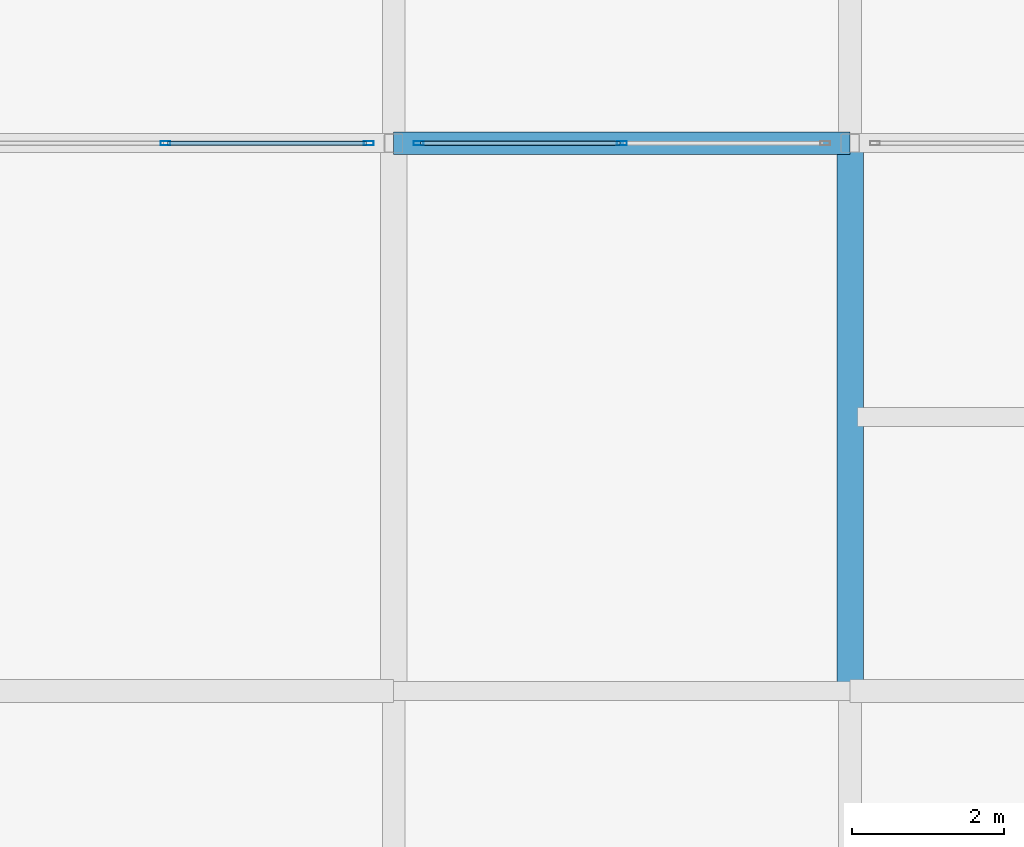
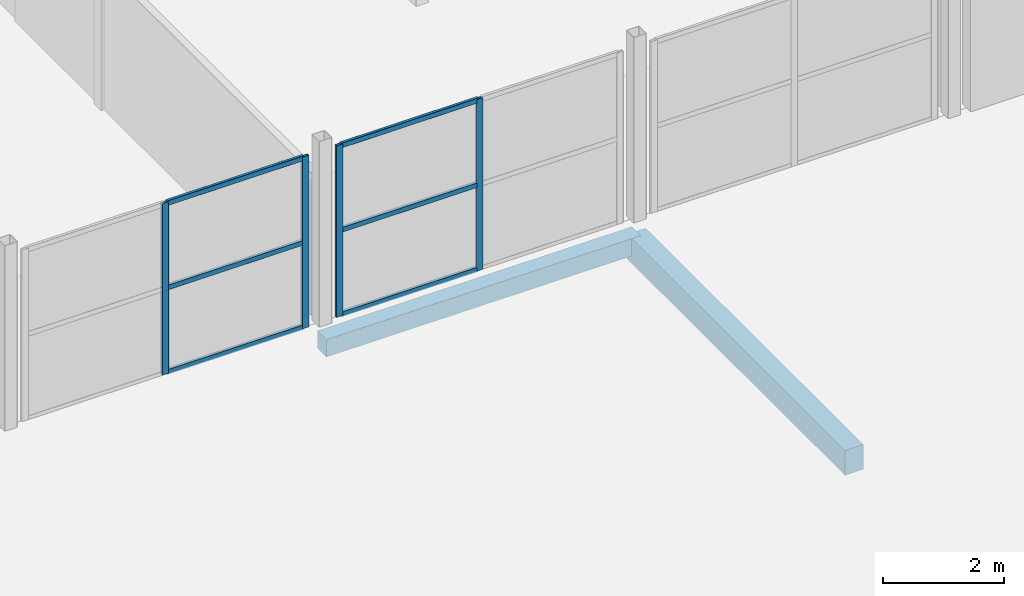
# One storey, part 155 of 239: 10 members, 2 beams, 2 elements without a shape of their own.
"""IFC4 building model written with IfcOpenShell, lengths in metres."""

from ifc_helpers import new_model, si_unit, direction, frame, origin, origin_2d, place, context, subcontext, project, spatial, rectangle, hollow_rectangle, extrude, material, layer, layer_set, material_profile, profile_set, type_object, element, aggregate, save


model = new_model("IFC4")

# Units and contexts
model_context = context("Model", 3, precision=1e-05, world=origin(), true_north=direction((0.0, 1.0)))
body_context = subcontext(model_context, "Body", "Model", "MODEL_VIEW")
ifc_project = project(units=[si_unit("LENGTHUNIT", "METRE"), si_unit("AREAUNIT", "SQUARE_METRE"), si_unit("VOLUMEUNIT", "CUBIC_METRE"), si_unit("PLANEANGLEUNIT", "RADIAN"), si_unit("MASSUNIT", "GRAM", prefix="KILO")], contexts=[model_context])

# Site, building, storey
site_placement = place(None, origin())
site = spatial("IfcSite", under=ifc_project, at=site_placement, CompositionType="ELEMENT")
building_placement = place(site_placement, origin())
building = spatial("IfcBuilding", under=site, at=building_placement, Name="Dunvalen Ferry Terminal", CompositionType="ELEMENT")
storey_placement = place(building_placement, frame((0.0, 0.0, 9.840087890625)))
storey = spatial("IfcBuildingStorey", under=building, at=storey_placement, Name="L02", CompositionType="ELEMENT", Elevation=9.840087890625)

# Curtain wall, members
ifc_material_1 = material(Name="Anodised marine aluminium and solar-control glazing", Category="aluminium")
ifc_layer = layer(ifc_material_1, 0.159912109375, Name="Anodised marine aluminium and solar-control glazing")
ifc_layer_set = layer_set([ifc_layer], Name="Anodised marine aluminium and solar-control glazing")
curtain_wall_type = type_object("IfcCurtainWallType", Name="ENV-CW-SYS-09", PredefinedType="NOTDEFINED", material=ifc_layer_set)
curtain_wall_1_placement = place(storey_placement, origin())
curtain_wall_1 = element("IfcCurtainWall", 1, at=curtain_wall_1_placement, inside=storey, type_object=curtain_wall_type, Name="L02 Curtain Wall CW-PAV-S-3", PredefinedType="NOTDEFINED")
ifc_material_2 = material(Name="Anodised marine aluminium EN AW-6063 T6", Category="aluminium")
ifc_material_profile_1 = material_profile(ifc_material_2, hollow_rectangle(XDim=0.054931640625, YDim=0.1298828125, WallThickness=0.003173828125, InnerFilletRadius=0.003173828125, OuterFilletRadius=0.00634765625, at=origin_2d()), Name="Anodised marine aluminium EN AW-6063 T6")
ifc_profile_set_1 = profile_set([ifc_material_profile_1], Name="Anodised marine aluminium EN AW-6063 T6")
member_type_1 = type_object("IfcMemberType", Name="ENV-CW-MUL-4", PredefinedType="MULLION", material=ifc_profile_set_1)
member_1_placement = place(storey_placement, frame((129.0, 14.39990234375, 0.0), z_axis=(0.0, 0.0, 1.0), x_axis=(0.0, 1.0, 0.0)))
member_1 = element("IfcMember", 2, at=member_1_placement, type_object=member_type_1, Name="CW-09 mullion 2", PredefinedType="MULLION", context=body_context, shape_type="SweptSolid", body=[
    extrude(hollow_rectangle(XDim=0.054931640625, YDim=0.1298828125, WallThickness=0.003173828125, InnerFilletRadius=0.003173828125, OuterFilletRadius=0.00634765625, at=origin_2d()), origin(), (0.0, 0.0, 1.0), 3.4599609375),
])
member_2_placement = place(storey_placement, frame((131.672607421875, 14.39990234375, 0.0), z_axis=(0.0, 0.0, 1.0), x_axis=(0.0, 1.0, 0.0)))
member_2 = element("IfcMember", 3, at=member_2_placement, type_object=member_type_1, Name="CW-09 mullion 3", PredefinedType="MULLION", context=body_context, shape_type="SweptSolid", body=[
    extrude(hollow_rectangle(XDim=0.054931640625, YDim=0.1298828125, WallThickness=0.003173828125, InnerFilletRadius=0.003173828125, OuterFilletRadius=0.00634765625, at=origin_2d()), origin(), (0.0, 0.0, 1.0), 3.4599609375),
])

curtain_wall_2_placement = place(storey_placement, origin())
curtain_wall_2 = element("IfcCurtainWall", 4, at=curtain_wall_2_placement, inside=storey, type_object=curtain_wall_type, Name="L02 Curtain Wall CW-PAV-S-4", PredefinedType="NOTDEFINED")
member_3_placement = place(storey_placement, frame((132.327392578125, 14.39990234375, 0.0), z_axis=(0.0, 0.0, 1.0), x_axis=(0.0, 1.0, 0.0)))
member_3 = element("IfcMember", 5, at=member_3_placement, type_object=member_type_1, Name="CW-09 mullion 1", PredefinedType="MULLION", context=body_context, shape_type="SweptSolid", body=[
    extrude(hollow_rectangle(XDim=0.054931640625, YDim=0.1298828125, WallThickness=0.003173828125, InnerFilletRadius=0.003173828125, OuterFilletRadius=0.00634765625, at=origin_2d()), origin(), (0.0, 0.0, 1.0), 3.4599609375),
])
member_4_placement = place(storey_placement, frame((135.0, 14.39990234375, 0.0), z_axis=(0.0, 0.0, 1.0), x_axis=(0.0, 1.0, 0.0)))
member_4 = element("IfcMember", 6, at=member_4_placement, type_object=member_type_1, Name="CW-09 mullion 2", PredefinedType="MULLION", context=body_context, shape_type="SweptSolid", body=[
    extrude(hollow_rectangle(XDim=0.054931640625, YDim=0.1298828125, WallThickness=0.003173828125, InnerFilletRadius=0.003173828125, OuterFilletRadius=0.00634765625, at=origin_2d()), origin(), (0.0, 0.0, 1.0), 3.4599609375),
])

# Member
ifc_material_profile_2 = material_profile(ifc_material_2, hollow_rectangle(XDim=0.054931640625, YDim=0.10009765625, WallThickness=0.0029296875, InnerFilletRadius=0.0029296875, OuterFilletRadius=0.006103515625, at=origin_2d()), Name="Anodised marine aluminium EN AW-6063 T6")
ifc_profile_set_2 = profile_set([ifc_material_profile_2], Name="Anodised marine aluminium EN AW-6063 T6")
member_type_2 = type_object("IfcMemberType", Name="ENV-CW-TRN-4", PredefinedType="USERDEFINED", material=ifc_profile_set_2)
member_5_placement = place(storey_placement, frame((129.027587890625, 14.39990234375, 0.02734375), z_axis=(1.0, 0.0, 0.0), x_axis=(0.0, 1.0, 0.0)))
member_5 = element("IfcMember", 7, at=member_5_placement, type_object=member_type_2, Name="CW-09 transom 2.1", ObjectType="TRANSOM", PredefinedType="USERDEFINED", context=body_context, shape_type="SweptSolid", body=[
    extrude(hollow_rectangle(XDim=0.054931640625, YDim=0.10009765625, WallThickness=0.0029296875, InnerFilletRadius=0.0029296875, OuterFilletRadius=0.006103515625, at=origin_2d()), origin(), (0.0, 0.0, 1.0), 2.617431640625),
])

member_6_placement = place(storey_placement, frame((129.027587890625, 14.39990234375, 1.72998046875), z_axis=(1.0, 0.0, 0.0), x_axis=(0.0, 1.0, 0.0)))
member_6 = element("IfcMember", 8, at=member_6_placement, type_object=member_type_2, Name="CW-09 transom 2.2", ObjectType="TRANSOM", PredefinedType="USERDEFINED", context=body_context, shape_type="SweptSolid", body=[
    extrude(hollow_rectangle(XDim=0.054931640625, YDim=0.10009765625, WallThickness=0.0029296875, InnerFilletRadius=0.0029296875, OuterFilletRadius=0.006103515625, at=origin_2d()), origin(), (0.0, 0.0, 1.0), 2.617431640625),
])

member_7_placement = place(storey_placement, frame((129.027587890625, 14.39990234375, 3.432373046875), z_axis=(1.0, 0.0, 0.0), x_axis=(0.0, 1.0, 0.0)))
member_7 = element("IfcMember", 9, at=member_7_placement, type_object=member_type_2, Name="CW-09 transom 2.3", ObjectType="TRANSOM", PredefinedType="USERDEFINED", context=body_context, shape_type="SweptSolid", body=[
    extrude(hollow_rectangle(XDim=0.054931640625, YDim=0.10009765625, WallThickness=0.0029296875, InnerFilletRadius=0.0029296875, OuterFilletRadius=0.006103515625, at=origin_2d()), origin(), (0.0, 0.0, 1.0), 2.617431640625),
])

aggregate(curtain_wall_1, [member_1, member_2, member_5, member_6, member_7])

member_8_placement = place(storey_placement, frame((132.35498046875, 14.39990234375, 0.02734375), z_axis=(1.0, 0.0, 0.0), x_axis=(0.0, 1.0, 0.0)))
member_8 = element("IfcMember", 10, at=member_8_placement, type_object=member_type_2, Name="CW-09 transom 1.1", ObjectType="TRANSOM", PredefinedType="USERDEFINED", context=body_context, shape_type="SweptSolid", body=[
    extrude(hollow_rectangle(XDim=0.054931640625, YDim=0.10009765625, WallThickness=0.0029296875, InnerFilletRadius=0.0029296875, OuterFilletRadius=0.006103515625, at=origin_2d()), origin(), (0.0, 0.0, 1.0), 2.617431640625),
])

member_9_placement = place(storey_placement, frame((132.35498046875, 14.39990234375, 1.72998046875), z_axis=(1.0, 0.0, 0.0), x_axis=(0.0, 1.0, 0.0)))
member_9 = element("IfcMember", 11, at=member_9_placement, type_object=member_type_2, Name="CW-09 transom 1.2", ObjectType="TRANSOM", PredefinedType="USERDEFINED", context=body_context, shape_type="SweptSolid", body=[
    extrude(hollow_rectangle(XDim=0.054931640625, YDim=0.10009765625, WallThickness=0.0029296875, InnerFilletRadius=0.0029296875, OuterFilletRadius=0.006103515625, at=origin_2d()), origin(), (0.0, 0.0, 1.0), 2.617431640625),
])

member_10_placement = place(storey_placement, frame((132.35498046875, 14.39990234375, 3.432373046875), z_axis=(1.0, 0.0, 0.0), x_axis=(0.0, 1.0, 0.0)))
member_10 = element("IfcMember", 12, at=member_10_placement, type_object=member_type_2, Name="CW-09 transom 1.3", ObjectType="TRANSOM", PredefinedType="USERDEFINED", context=body_context, shape_type="SweptSolid", body=[
    extrude(hollow_rectangle(XDim=0.054931640625, YDim=0.10009765625, WallThickness=0.0029296875, InnerFilletRadius=0.0029296875, OuterFilletRadius=0.006103515625, at=origin_2d()), origin(), (0.0, 0.0, 1.0), 2.617431640625),
])

aggregate(curtain_wall_2, [member_3, member_4, member_8, member_9, member_10])

# Beams
ifc_material_3 = material(Name="Concrete C35/45", Category="concrete")
ifc_material_profile_3 = material_profile(ifc_material_3, rectangle(XDim=0.35009765625, YDim=0.5, at=origin_2d()), Name="Concrete C35/45")
ifc_profile_set_3 = profile_set([ifc_material_profile_3], Name="Concrete C35/45")
beam_type_1 = type_object("IfcBeamType", Name="STR-BM-RCB500W", PredefinedType="JOIST", material=ifc_profile_set_3)
beam_1_placement = place(storey_placement, frame((138.0, 7.199951171875, -0.530029296875), z_axis=(0.0, 1.0, 0.0), x_axis=(-1.0, 0.0, 0.0)))
element("IfcBeam", 13, at=beam_1_placement, inside=storey, type_object=beam_type_1, Name="L02 V4 Primary Girder Y-093", PredefinedType="JOIST", context=body_context, shape_type="SweptSolid", body=[
    extrude(rectangle(XDim=0.35009765625, YDim=0.5, at=origin_2d()), origin(), (0.0, 0.0, 1.0), 7.199951171875),
])
ifc_material_4 = material(Name="Concrete C40/50", Category="concrete")
ifc_material_profile_4 = material_profile(ifc_material_4, rectangle(XDim=0.300048828125, YDim=0.35009765625, at=origin_2d()), Name="Concrete C40/50")
ifc_profile_set_4 = profile_set([ifc_material_profile_4], Name="Concrete C40/50")
beam_type_2 = type_object("IfcBeamType", Name="STR-BM-RCL350", PredefinedType="LINTEL", material=ifc_profile_set_4)
beam_2_placement = place(storey_placement, frame((132.0, 14.39990234375, -0.455078125), z_axis=(1.0, 0.0, 0.0), x_axis=(0.0, 1.0, 0.0)))
element("IfcBeam", 14, at=beam_2_placement, inside=storey, type_object=beam_type_2, Name="L02 V4 Primary Beam X-022", PredefinedType="LINTEL", context=body_context, shape_type="SweptSolid", body=[
    extrude(rectangle(XDim=0.300048828125, YDim=0.35009765625, at=origin_2d()), origin(), (0.0, 0.0, 1.0), 6.0),
])

save(model, "model.ifc")
